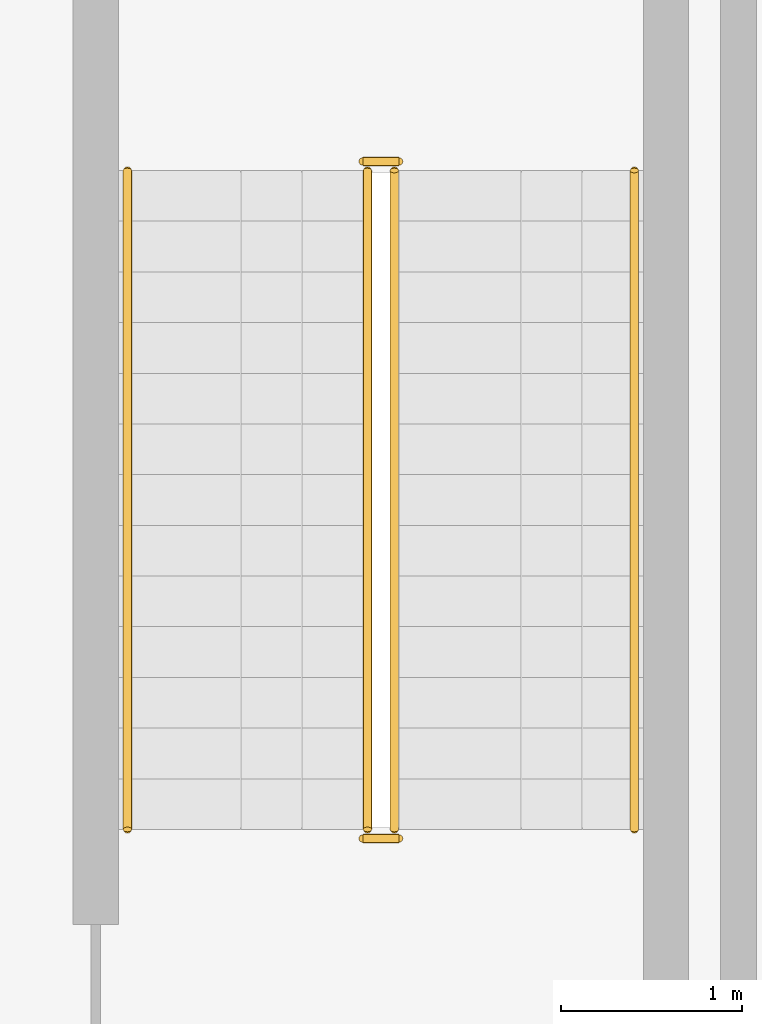
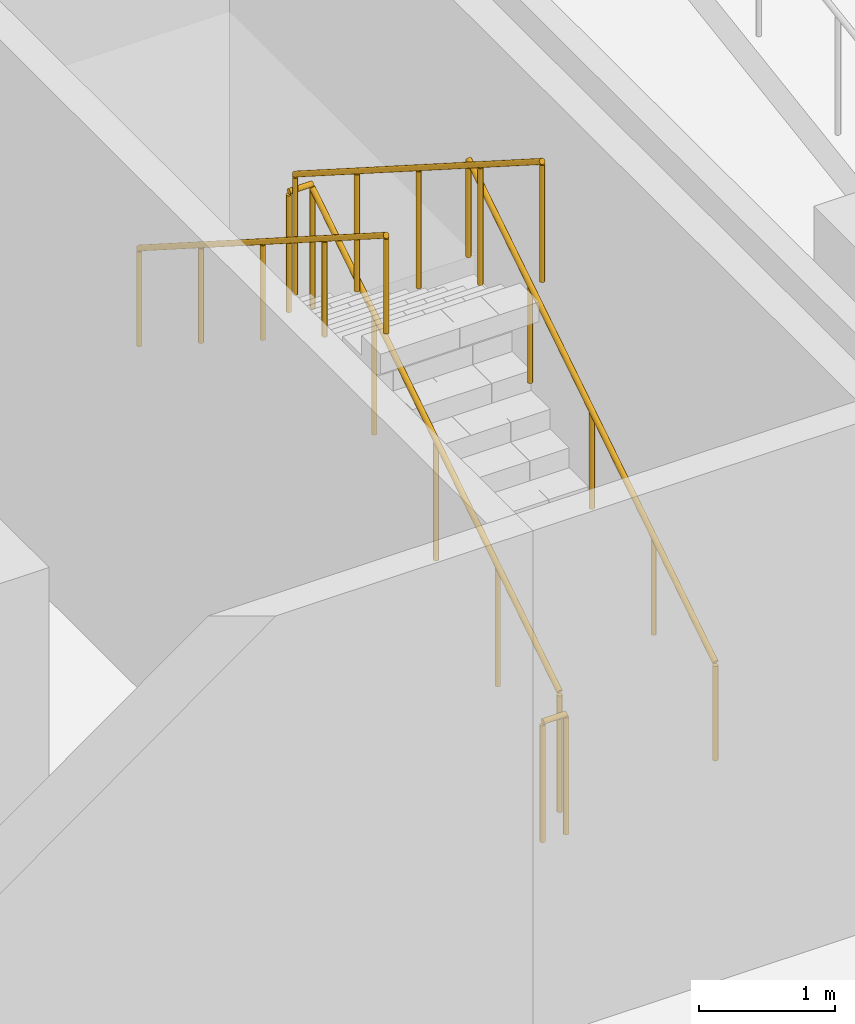
# One storey, part 20 of 20: 6 railings.
"""IFC4 building model written with IfcOpenShell, lengths in metres."""

import ifcopenshell
import ifcopenshell.guid

model = None  # the IFC model being written
_history = None  # IfcOwnerHistory: only IFC2X3 demands one
_inside = {}  # id of a spatial element -> (the spatial element, [elements in it])
_under = {}  # id of a project, library or spatial element -> (it, [spatial elements below it])
_declared = {}  # id of a project -> (the project, [libraries it declares])
_typed = {}  # id of a type object -> (the type object, [elements of that type])
_made_of = {}  # id of a material, layer set ... -> (it, [elements and type objects made of it])


def new_model(schema):
    """Start an empty IFC model of exactly this schema.

    Asked for "IFC4X3", IfcOpenShell would pick the latest addendum, in which some entities
    have other attributes; the version numbers below select the first issue.
    IFC2X3 requires an IfcOwnerHistory on every rooted entity: one is made here for all.
    """
    global model, _history
    if schema == "IFC4X3":
        model = ifcopenshell.file(schema_version=(4, 3, 0, 0))
    else:
        model = ifcopenshell.file(schema=schema)
    _inside.clear()
    _under.clear()
    _declared.clear()
    _typed.clear()
    _made_of.clear()
    _history = None
    if model.schema == "IFC2X3":
        org = make("IfcOrganization", Name="unknown")
        user = make(
            "IfcPersonAndOrganization",
            ThePerson=make("IfcPerson", FamilyName="unknown"),
            TheOrganization=org,
        )
        app = make(
            "IfcApplication",
            ApplicationDeveloper=org,
            Version="unknown",
            ApplicationFullName="unknown",
            ApplicationIdentifier="unknown",
        )
        _history = make(
            "IfcOwnerHistory",
            OwningUser=user,
            OwningApplication=app,
            ChangeAction="ADDED",
            CreationDate=0,
        )
    return model


def make(cls, **values):
    """One entity of the class cls with the attributes given. An attribute that is None is left unset."""
    return model.create_entity(
        cls, **{name: value for name, value in values.items() if value is not None}
    )


def rooted(cls, **values):
    """An entity with a GlobalId (a new one), such as an element, a storey or a relation."""
    return make(cls, GlobalId=ifcopenshell.guid.new(), OwnerHistory=_history, **values)


def si_unit(unit_type, name, prefix=None):
    """IfcSIUnit, for example si_unit("LENGTHUNIT", "METRE", prefix="MILLI")."""
    return make("IfcSIUnit", UnitType=unit_type, Prefix=prefix, Name=name)


def assignment(units):
    """IfcUnitAssignment: the units of a project."""
    return None if units is None else make("IfcUnitAssignment", Units=units)


def point(xyz):
    """IfcCartesianPoint."""
    return None if xyz is None else make("IfcCartesianPoint", Coordinates=xyz)


def direction(xyz):
    """IfcDirection."""
    return None if xyz is None else make("IfcDirection", DirectionRatios=xyz)


def frame(location, z_axis=None, x_axis=None):
    """IfcAxis2Placement3D, a coordinate frame: its origin and axes. An axis left out is left unset."""
    return make(
        "IfcAxis2Placement3D",
        Location=point(location),
        Axis=direction(z_axis),
        RefDirection=direction(x_axis),
    )


def frame_2d(location, x_axis=None):
    """IfcAxis2Placement2D, a coordinate frame in the plane: its origin and x axis."""
    return make(
        "IfcAxis2Placement2D", Location=point(location), RefDirection=direction(x_axis)
    )


def origin():
    """The frame at (0, 0, 0) with its axes left unset."""
    return frame((0.0, 0.0, 0.0))


def origin_2d():
    """The frame at (0, 0) in the plane with its x axis left unset."""
    return frame_2d((0.0, 0.0))


def place(relative_to, where):
    """IfcLocalPlacement: puts the frame where relative to a parent placement (None: the world)."""
    return make(
        "IfcLocalPlacement", PlacementRelTo=relative_to, RelativePlacement=where
    )


def context(
    kind, dimensions, precision=None, world=None, true_north=None, identifier=None
):
    """IfcGeometricRepresentationContext, for example the 3D "Model" context."""
    return make(
        "IfcGeometricRepresentationContext",
        ContextIdentifier=identifier,
        ContextType=kind,
        CoordinateSpaceDimension=dimensions,
        Precision=precision,
        WorldCoordinateSystem=world,
        TrueNorth=true_north,
    )


def subcontext(parent, identifier, kind, view, scale=None):
    """IfcGeometricRepresentationSubContext, for example "Body" below "Model"."""
    return make(
        "IfcGeometricRepresentationSubContext",
        ContextIdentifier=identifier,
        ContextType=kind,
        ParentContext=parent,
        TargetScale=scale,
        TargetView=view,
    )


def project(units=None, contexts=None):
    """IfcProject with its units and contexts."""
    return rooted(
        "IfcProject",
        Name="project",
        RepresentationContexts=contexts,
        UnitsInContext=assignment(units),
    )


def spatial(cls, under=None, at=None, **own):
    """A site, building, storey or space (cls), placed at a placement, below another one or the project."""
    s = rooted(cls, ObjectPlacement=at, **own)
    if under is not None:
        _under.setdefault(under.id(), (under, []))[1].append(s)
    return s


def profile(cls, at=None, kind="AREA", **sizes):
    """A parametric profile (cls). Its sizes go by their IFC names, for example OverallWidth=200.0."""
    return make(cls, ProfileType=kind, Position=at, **sizes)


def circle(**sizes):
    """IfcCircleProfileDef."""
    return profile("IfcCircleProfileDef", **sizes)


def extrude(swept, where, along, depth):
    """IfcExtrudedAreaSolid: the profile swept, set in the frame where, extruded along a direction by depth."""
    return make(
        "IfcExtrudedAreaSolid",
        SweptArea=swept,
        Position=where,
        ExtrudedDirection=direction(along),
        Depth=depth,
    )


def shape(context_of_items, identifier, shape_type, items):
    """IfcShapeRepresentation: the items that make up one representation, for example the "Body"."""
    return make(
        "IfcShapeRepresentation",
        ContextOfItems=context_of_items,
        RepresentationIdentifier=identifier,
        RepresentationType=shape_type,
        Items=items,
    )


def material(Name=None, Category=None):
    """IfcMaterial."""
    return make("IfcMaterial", Name=Name, Category=Category)


def made_of(thing, what):
    """Note that an element or type object is made of a material, layer set ...; save() writes the relation."""
    if what is not None:
        _made_of.setdefault(what.id(), (what, []))[1].append(thing)
    return thing


def type_object(cls, material=None, **own):
    """A type object (cls), such as IfcWallType, which elements share."""
    return made_of(rooted(cls, **own), material)


def element(
    cls,
    number,
    at=None,
    inside=None,
    cuts=None,
    type_object=None,
    material=None,
    context=None,
    identifier="Body",
    shape_type=None,
    held_by="IfcProductDefinitionShape",
    body=None,
    shapes=None,
    **own,
):
    """One element of the class cls, such as IfcWall. Its Tag is "e" and its number.

    at: its placement. inside: the storey or other place that contains it. cuts: it is an
    opening in that element (IfcRelVoidsElement). A single representation is given by context,
    identifier, shape_type and body (its items); several are given by shapes. held_by: the class
    of the entity that holds the representations. save() writes the other relations.
    """
    e = rooted(cls, Tag="e%d" % number, ObjectPlacement=at, **own)
    if body is not None:
        shapes = [shape(context, identifier, shape_type, body)]
    if shapes is not None:
        e.Representation = make(held_by, Representations=shapes)
    if inside is not None:
        _inside.setdefault(inside.id(), (inside, []))[1].append(e)
    if cuts is not None:
        rooted(
            "IfcRelVoidsElement", RelatingBuildingElement=cuts, RelatedOpeningElement=e
        )
    if type_object is not None:
        _typed.setdefault(type_object.id(), (type_object, []))[1].append(e)
    return made_of(e, material)


def aggregate(whole, parts):
    """IfcRelAggregates: a whole, such as a stair, and the parts it consists of."""
    return rooted("IfcRelAggregates", RelatingObject=whole, RelatedObjects=parts)


def save(model, path):
    """Write the relations noted so far, then the file.

    IfcRelAggregates (storeys below a building ...), IfcRelContainedInSpatialStructure (elements
    in a storey), IfcRelDefinesByType, IfcRelAssociatesMaterial and IfcRelDeclares: one each for
    every whole, place, type object, material and project.
    """
    for whole, parts in _under.values():
        aggregate(whole, parts)
    for where, things in _inside.values():
        rooted(
            "IfcRelContainedInSpatialStructure",
            RelatedElements=things,
            RelatingStructure=where,
        )
    for kind, things in _typed.values():
        rooted("IfcRelDefinesByType", RelatedObjects=things, RelatingType=kind)
    for what, things in _made_of.values():
        rooted("IfcRelAssociatesMaterial", RelatedObjects=things, RelatingMaterial=what)
    for by, libraries in _declared.values():
        rooted("IfcRelDeclares", RelatingContext=by, RelatedDefinitions=libraries)
    model.write(path)


model = new_model("IFC4")

# Units and contexts
model_context = context("Model", 3, precision=1e-05, world=origin(), true_north=direction((0.0, 1.0)))
body_context = subcontext(model_context, "Body", "Model", "MODEL_VIEW")
ifc_project = project(units=[si_unit("LENGTHUNIT", "METRE"), si_unit("AREAUNIT", "SQUARE_METRE"), si_unit("VOLUMEUNIT", "CUBIC_METRE"), si_unit("PLANEANGLEUNIT", "RADIAN"), si_unit("MASSUNIT", "GRAM", prefix="KILO")], contexts=[model_context])

# Site, building, storey
site_placement = place(None, origin())
site = spatial("IfcSite", under=ifc_project, at=site_placement, CompositionType="ELEMENT")
building_placement = place(site_placement, origin())
building = spatial("IfcBuilding", under=site, at=building_placement, Name="Cantera Rosa Tower", CompositionType="ELEMENT")
storey_placement = place(building_placement, frame((0.0, 0.0, -5.0)))
storey = spatial("IfcBuildingStorey", under=building, at=storey_placement, Name="B1", CompositionType="ELEMENT", Elevation=-5.0)

# Railings
ifc_material_1 = material(Name="Steel S355J2 (EN 10025-2)", Category="steel")
railing_type_1 = type_object("IfcRailingType", Name="STAIR GUARD 1100", PredefinedType="GUARDRAIL", material=ifc_material_1)
railing_1_placement = place(storey_placement, frame((30.799072265625, 21.125, 0.178466796875)))
element("IfcRailing", 1, at=railing_1_placement, inside=storey, type_object=railing_type_1, Name="B1 ST-NE stair guard 1", PredefinedType="GUARDRAIL", context=body_context, shape_type="SweptSolid", body=[
    extrude(circle(Radius=0.02392578125, at=origin_2d()), frame((0.0, 0.0, 1.076171875), z_axis=(0.0, 0.843111507901, 0.53773877045), x_axis=(-1.0, 0.0, 0.0)), (0.0, 0.0, 1.0), 4.317138671875),
    extrude(circle(Radius=0.02099609375, at=origin_2d()), origin(), (0.0, 0.0, 1.0), 1.052001953125),
    extrude(circle(Radius=0.02099609375, at=origin_2d()), frame((0.0, 0.909912109375, 0.580322265625)), (0.0, 0.0, 1.0), 1.052001953125),
    extrude(circle(Radius=0.02099609375, at=origin_2d()), frame((0.0, 1.81982421875, 1.16064453125)), (0.0, 0.0, 1.0), 1.052001953125),
    extrude(circle(Radius=0.02099609375, at=origin_2d()), frame((0.0, 2.72998046875, 1.7412109375)), (0.0, 0.0, 1.0), 1.052001953125),
    extrude(circle(Radius=0.02099609375, at=origin_2d()), frame((0.0, 3.639892578125, 2.321533203125)), (0.0, 0.0, 1.0), 1.052001953125),
])
railing_2_placement = place(storey_placement, frame((30.824951171875, 24.81494140625, 2.5)))
element("IfcRailing", 2, at=railing_2_placement, inside=storey, type_object=railing_type_1, Name="B1 ST-NE stair guard 2", PredefinedType="GUARDRAIL", context=body_context, shape_type="SweptSolid", body=[
    extrude(circle(Radius=0.02392578125, at=origin_2d()), frame((0.0, 0.0, 1.076171875), z_axis=(-1.0, 0.0, 0.0), x_axis=(0.0, -1.0, 0.0)), (0.0, 0.0, 1.0), 0.199951171875),
    extrude(circle(Radius=0.02099609375, at=origin_2d()), origin(), (0.0, 0.0, 1.0), 1.052001953125),
    extrude(circle(Radius=0.02099609375, at=origin_2d()), frame((-0.199951171875, 0.0, 0.0)), (0.0, 0.0, 1.0), 1.052001953125),
])
railing_3_placement = place(storey_placement, frame((30.65087890625, 24.764892578125, 2.678466796875)))
element("IfcRailing", 3, at=railing_3_placement, inside=storey, type_object=railing_type_1, Name="B1 ST-NE stair guard 3", PredefinedType="GUARDRAIL", context=body_context, shape_type="SweptSolid", body=[
    extrude(circle(Radius=0.02392578125, at=origin_2d()), frame((0.0, 0.0, 1.076171875), z_axis=(0.0, -0.843111507901, 0.53773877045), x_axis=(1.0, 0.0, 0.0)), (0.0, 0.0, 1.0), 4.317138671875),
    extrude(circle(Radius=0.02099609375, at=origin_2d()), origin(), (0.0, 0.0, 1.0), 1.052001953125),
    extrude(circle(Radius=0.02099609375, at=origin_2d()), frame((0.0, -0.909912109375, 0.580322265625)), (0.0, 0.0, 1.0), 1.052001953125),
    extrude(circle(Radius=0.02099609375, at=origin_2d()), frame((0.0, -1.81982421875, 1.16064453125)), (0.0, 0.0, 1.0), 1.052001953125),
    extrude(circle(Radius=0.02099609375, at=origin_2d()), frame((0.0, -2.72998046875, 1.7412109375)), (0.0, 0.0, 1.0), 1.052001953125),
    extrude(circle(Radius=0.02099609375, at=origin_2d()), frame((0.0, -3.639892578125, 2.321533203125)), (0.0, 0.0, 1.0), 1.052001953125),
])
railing_4_placement = place(storey_placement, frame((30.824951171875, 21.074951171875, 0.0)))
element("IfcRailing", 4, at=railing_4_placement, inside=storey, type_object=railing_type_1, Name="B1 ST-NE stair guard 4", PredefinedType="GUARDRAIL", context=body_context, shape_type="SweptSolid", body=[
    extrude(circle(Radius=0.02392578125, at=origin_2d()), frame((0.0, 0.0, 1.076171875), z_axis=(-1.0, 0.0, 0.0), x_axis=(0.0, -1.0, 0.0)), (0.0, 0.0, 1.0), 0.199951171875),
    extrude(circle(Radius=0.02099609375, at=origin_2d()), origin(), (0.0, 0.0, 1.0), 1.052001953125),
    extrude(circle(Radius=0.02099609375, at=origin_2d()), frame((-0.199951171875, 0.0, 0.0)), (0.0, 0.0, 1.0), 1.052001953125),
])
ifc_material_2 = material(Name="Steel S355J2 (EN 10025-2)", Category="steel")
railing_type_2 = type_object("IfcRailingType", Name="STAIR HANDRAIL 900", PredefinedType="HANDRAIL", material=ifc_material_2)
railing_5_placement = place(storey_placement, frame((32.125, 21.125, 0.178466796875)))
element("IfcRailing", 5, at=railing_5_placement, inside=storey, type_object=railing_type_2, Name="B1 ST-NE stair handrail 1", PredefinedType="HANDRAIL", context=body_context, shape_type="SweptSolid", body=[
    extrude(circle(Radius=0.02392578125, at=origin_2d()), frame((0.0, 0.0, 0.8759765625), z_axis=(0.0, 0.843111507901, 0.53773877045), x_axis=(-1.0, 0.0, 0.0)), (0.0, 0.0, 1.0), 4.317138671875),
    extrude(circle(Radius=0.02099609375, at=origin_2d()), origin(), (0.0, 0.0, 1.0), 0.851806640625),
    extrude(circle(Radius=0.02099609375, at=origin_2d()), frame((0.0, 0.909912109375, 0.580322265625)), (0.0, 0.0, 1.0), 0.851806640625),
    extrude(circle(Radius=0.02099609375, at=origin_2d()), frame((0.0, 1.81982421875, 1.16064453125)), (0.0, 0.0, 1.0), 0.851806640625),
    extrude(circle(Radius=0.02099609375, at=origin_2d()), frame((0.0, 2.72998046875, 1.7412109375)), (0.0, 0.0, 1.0), 0.851806640625),
    extrude(circle(Radius=0.02099609375, at=origin_2d()), frame((0.0, 3.639892578125, 2.321533203125)), (0.0, 0.0, 1.0), 0.851806640625),
])
railing_6_placement = place(storey_placement, frame((29.324951171875, 24.764892578125, 2.678466796875)))
element("IfcRailing", 6, at=railing_6_placement, inside=storey, type_object=railing_type_2, Name="B1 ST-NE stair handrail 2", PredefinedType="HANDRAIL", context=body_context, shape_type="SweptSolid", body=[
    extrude(circle(Radius=0.02392578125, at=origin_2d()), frame((0.0, 0.0, 0.8759765625), z_axis=(0.0, -0.843111507901, 0.53773877045), x_axis=(1.0, 0.0, 0.0)), (0.0, 0.0, 1.0), 4.317138671875),
    extrude(circle(Radius=0.02099609375, at=origin_2d()), origin(), (0.0, 0.0, 1.0), 0.851806640625),
    extrude(circle(Radius=0.02099609375, at=origin_2d()), frame((0.0, -0.909912109375, 0.580322265625)), (0.0, 0.0, 1.0), 0.851806640625),
    extrude(circle(Radius=0.02099609375, at=origin_2d()), frame((0.0, -1.81982421875, 1.16064453125)), (0.0, 0.0, 1.0), 0.851806640625),
    extrude(circle(Radius=0.02099609375, at=origin_2d()), frame((0.0, -2.72998046875, 1.7412109375)), (0.0, 0.0, 1.0), 0.851806640625),
    extrude(circle(Radius=0.02099609375, at=origin_2d()), frame((0.0, -3.639892578125, 2.321533203125)), (0.0, 0.0, 1.0), 0.851806640625),
])

save(model, "model.ifc")
